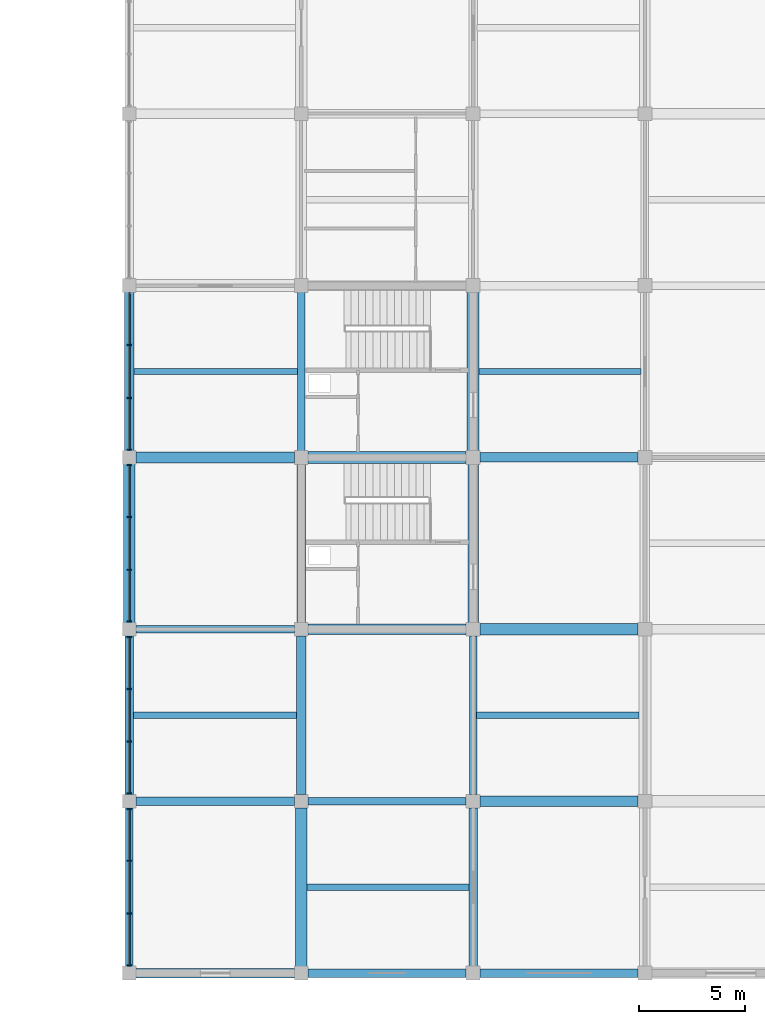
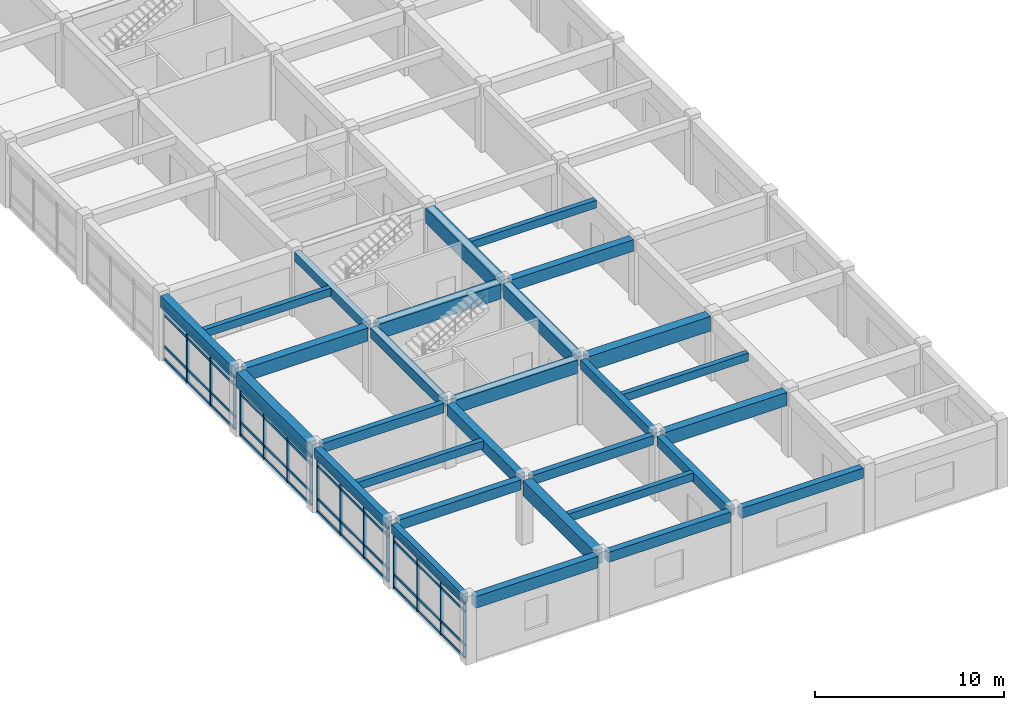
# One storey, part 13 of 40: 31 members, 29 beams, 4 elements without a shape of their own.
"""IFC4 building model written with IfcOpenShell, lengths in metres."""

import ifcopenshell
import ifcopenshell.guid

model = None  # the IFC model being written
_history = None  # IfcOwnerHistory: only IFC2X3 demands one
_inside = {}  # id of a spatial element -> (the spatial element, [elements in it])
_under = {}  # id of a project, library or spatial element -> (it, [spatial elements below it])
_declared = {}  # id of a project -> (the project, [libraries it declares])
_typed = {}  # id of a type object -> (the type object, [elements of that type])
_made_of = {}  # id of a material, layer set ... -> (it, [elements and type objects made of it])


def new_model(schema):
    """Start an empty IFC model of exactly this schema.

    Asked for "IFC4X3", IfcOpenShell would pick the latest addendum, in which some entities
    have other attributes; the version numbers below select the first issue.
    IFC2X3 requires an IfcOwnerHistory on every rooted entity: one is made here for all.
    """
    global model, _history
    if schema == "IFC4X3":
        model = ifcopenshell.file(schema_version=(4, 3, 0, 0))
    else:
        model = ifcopenshell.file(schema=schema)
    _inside.clear()
    _under.clear()
    _declared.clear()
    _typed.clear()
    _made_of.clear()
    _history = None
    if model.schema == "IFC2X3":
        org = make("IfcOrganization", Name="unknown")
        user = make(
            "IfcPersonAndOrganization",
            ThePerson=make("IfcPerson", FamilyName="unknown"),
            TheOrganization=org,
        )
        app = make(
            "IfcApplication",
            ApplicationDeveloper=org,
            Version="unknown",
            ApplicationFullName="unknown",
            ApplicationIdentifier="unknown",
        )
        _history = make(
            "IfcOwnerHistory",
            OwningUser=user,
            OwningApplication=app,
            ChangeAction="ADDED",
            CreationDate=0,
        )
    return model


def make(cls, **values):
    """One entity of the class cls with the attributes given. An attribute that is None is left unset."""
    return model.create_entity(
        cls, **{name: value for name, value in values.items() if value is not None}
    )


def rooted(cls, **values):
    """An entity with a GlobalId (a new one), such as an element, a storey or a relation."""
    return make(cls, GlobalId=ifcopenshell.guid.new(), OwnerHistory=_history, **values)


def si_unit(unit_type, name, prefix=None):
    """IfcSIUnit, for example si_unit("LENGTHUNIT", "METRE", prefix="MILLI")."""
    return make("IfcSIUnit", UnitType=unit_type, Prefix=prefix, Name=name)


def assignment(units):
    """IfcUnitAssignment: the units of a project."""
    return None if units is None else make("IfcUnitAssignment", Units=units)


def point(xyz):
    """IfcCartesianPoint."""
    return None if xyz is None else make("IfcCartesianPoint", Coordinates=xyz)


def direction(xyz):
    """IfcDirection."""
    return None if xyz is None else make("IfcDirection", DirectionRatios=xyz)


def frame(location, z_axis=None, x_axis=None):
    """IfcAxis2Placement3D, a coordinate frame: its origin and axes. An axis left out is left unset."""
    return make(
        "IfcAxis2Placement3D",
        Location=point(location),
        Axis=direction(z_axis),
        RefDirection=direction(x_axis),
    )


def frame_2d(location, x_axis=None):
    """IfcAxis2Placement2D, a coordinate frame in the plane: its origin and x axis."""
    return make(
        "IfcAxis2Placement2D", Location=point(location), RefDirection=direction(x_axis)
    )


def origin():
    """The frame at (0, 0, 0) with its axes left unset."""
    return frame((0.0, 0.0, 0.0))


def origin_2d():
    """The frame at (0, 0) in the plane with its x axis left unset."""
    return frame_2d((0.0, 0.0))


def place(relative_to, where):
    """IfcLocalPlacement: puts the frame where relative to a parent placement (None: the world)."""
    return make(
        "IfcLocalPlacement", PlacementRelTo=relative_to, RelativePlacement=where
    )


def context(
    kind, dimensions, precision=None, world=None, true_north=None, identifier=None
):
    """IfcGeometricRepresentationContext, for example the 3D "Model" context."""
    return make(
        "IfcGeometricRepresentationContext",
        ContextIdentifier=identifier,
        ContextType=kind,
        CoordinateSpaceDimension=dimensions,
        Precision=precision,
        WorldCoordinateSystem=world,
        TrueNorth=true_north,
    )


def subcontext(parent, identifier, kind, view, scale=None):
    """IfcGeometricRepresentationSubContext, for example "Body" below "Model"."""
    return make(
        "IfcGeometricRepresentationSubContext",
        ContextIdentifier=identifier,
        ContextType=kind,
        ParentContext=parent,
        TargetScale=scale,
        TargetView=view,
    )


def project(units=None, contexts=None):
    """IfcProject with its units and contexts."""
    return rooted(
        "IfcProject",
        Name="project",
        RepresentationContexts=contexts,
        UnitsInContext=assignment(units),
    )


def spatial(cls, under=None, at=None, **own):
    """A site, building, storey or space (cls), placed at a placement, below another one or the project."""
    s = rooted(cls, ObjectPlacement=at, **own)
    if under is not None:
        _under.setdefault(under.id(), (under, []))[1].append(s)
    return s


def profile(cls, at=None, kind="AREA", **sizes):
    """A parametric profile (cls). Its sizes go by their IFC names, for example OverallWidth=200.0."""
    return make(cls, ProfileType=kind, Position=at, **sizes)


def rectangle(**sizes):
    """IfcRectangleProfileDef."""
    return profile("IfcRectangleProfileDef", **sizes)


def extrude(swept, where, along, depth):
    """IfcExtrudedAreaSolid: the profile swept, set in the frame where, extruded along a direction by depth."""
    return make(
        "IfcExtrudedAreaSolid",
        SweptArea=swept,
        Position=where,
        ExtrudedDirection=direction(along),
        Depth=depth,
    )


def shape(context_of_items, identifier, shape_type, items):
    """IfcShapeRepresentation: the items that make up one representation, for example the "Body"."""
    return make(
        "IfcShapeRepresentation",
        ContextOfItems=context_of_items,
        RepresentationIdentifier=identifier,
        RepresentationType=shape_type,
        Items=items,
    )


def material(Name=None, Category=None):
    """IfcMaterial."""
    return make("IfcMaterial", Name=Name, Category=Category)


def layer(
    of_material, thickness, ventilated=None, Name=None, Category=None, Priority=None
):
    """IfcMaterialLayer: one layer of a wall or slab, of a material (None: an air gap)."""
    return make(
        "IfcMaterialLayer",
        Material=of_material,
        LayerThickness=thickness,
        IsVentilated=ventilated,
        Name=Name,
        Category=Category,
        Priority=Priority,
    )


def layer_set(layers, Name=None):
    """IfcMaterialLayerSet."""
    return make("IfcMaterialLayerSet", MaterialLayers=layers, LayerSetName=Name)


def material_profile(
    of_material, cross_section, Name=None, Category=None, Priority=None
):
    """IfcMaterialProfile: a cross section and its material."""
    return make(
        "IfcMaterialProfile",
        Name=Name,
        Material=of_material,
        Profile=cross_section,
        Priority=Priority,
        Category=Category,
    )


def profile_set(profiles, Name=None, composite=None):
    """IfcMaterialProfileSet."""
    return make(
        "IfcMaterialProfileSet",
        Name=Name,
        MaterialProfiles=profiles,
        CompositeProfile=composite,
    )


def made_of(thing, what):
    """Note that an element or type object is made of a material, layer set ...; save() writes the relation."""
    if what is not None:
        _made_of.setdefault(what.id(), (what, []))[1].append(thing)
    return thing


def type_object(cls, material=None, **own):
    """A type object (cls), such as IfcWallType, which elements share."""
    return made_of(rooted(cls, **own), material)


def element(
    cls,
    number,
    at=None,
    inside=None,
    cuts=None,
    type_object=None,
    material=None,
    context=None,
    identifier="Body",
    shape_type=None,
    held_by="IfcProductDefinitionShape",
    body=None,
    shapes=None,
    **own,
):
    """One element of the class cls, such as IfcWall. Its Tag is "e" and its number.

    at: its placement. inside: the storey or other place that contains it. cuts: it is an
    opening in that element (IfcRelVoidsElement). A single representation is given by context,
    identifier, shape_type and body (its items); several are given by shapes. held_by: the class
    of the entity that holds the representations. save() writes the other relations.
    """
    e = rooted(cls, Tag="e%d" % number, ObjectPlacement=at, **own)
    if body is not None:
        shapes = [shape(context, identifier, shape_type, body)]
    if shapes is not None:
        e.Representation = make(held_by, Representations=shapes)
    if inside is not None:
        _inside.setdefault(inside.id(), (inside, []))[1].append(e)
    if cuts is not None:
        rooted(
            "IfcRelVoidsElement", RelatingBuildingElement=cuts, RelatedOpeningElement=e
        )
    if type_object is not None:
        _typed.setdefault(type_object.id(), (type_object, []))[1].append(e)
    return made_of(e, material)


def aggregate(whole, parts):
    """IfcRelAggregates: a whole, such as a stair, and the parts it consists of."""
    return rooted("IfcRelAggregates", RelatingObject=whole, RelatedObjects=parts)


def save(model, path):
    """Write the relations noted so far, then the file.

    IfcRelAggregates (storeys below a building ...), IfcRelContainedInSpatialStructure (elements
    in a storey), IfcRelDefinesByType, IfcRelAssociatesMaterial and IfcRelDeclares: one each for
    every whole, place, type object, material and project.
    """
    for whole, parts in _under.values():
        aggregate(whole, parts)
    for where, things in _inside.values():
        rooted(
            "IfcRelContainedInSpatialStructure",
            RelatedElements=things,
            RelatingStructure=where,
        )
    for kind, things in _typed.values():
        rooted("IfcRelDefinesByType", RelatedObjects=things, RelatingType=kind)
    for what, things in _made_of.values():
        rooted("IfcRelAssociatesMaterial", RelatedObjects=things, RelatingMaterial=what)
    for by, libraries in _declared.values():
        rooted("IfcRelDeclares", RelatingContext=by, RelatedDefinitions=libraries)
    model.write(path)


model = new_model("IFC4")

# Units and contexts
model_context = context("Model", 3, precision=1e-05, world=origin(), true_north=direction((0.0, 1.0)))
body_context = subcontext(model_context, "Body", "Model", "MODEL_VIEW")
ifc_project = project(units=[si_unit("LENGTHUNIT", "METRE"), si_unit("AREAUNIT", "SQUARE_METRE"), si_unit("VOLUMEUNIT", "CUBIC_METRE"), si_unit("PLANEANGLEUNIT", "RADIAN"), si_unit("MASSUNIT", "GRAM", prefix="KILO")], contexts=[model_context])

# Site, building, storey
site_placement = place(None, origin())
site = spatial("IfcSite", under=ifc_project, at=site_placement, CompositionType="ELEMENT")
building_placement = place(site_placement, origin())
building = spatial("IfcBuilding", under=site, at=building_placement, Name="Vaudrelin Polytechnic", CompositionType="ELEMENT")
storey_placement = place(building_placement, frame((0.0, 0.0, 22.949951171875)))
storey = spatial("IfcBuildingStorey", under=building, at=storey_placement, Name="L05", CompositionType="ELEMENT", Elevation=22.949951171875)

# Beams
ifc_material_1 = material(Name="Concrete 40 MPa", Category="concrete")
ifc_material_profile_1 = material_profile(ifc_material_1, rectangle(XDim=0.35009765625, YDim=0.60009765625, at=origin_2d()), Name="RC350x600")
ifc_profile_set_1 = profile_set([ifc_material_profile_1], Name="Concrete 40 MPa")
beam_type_1 = type_object("IfcBeamType", Name="BM-BM-RC3560", PredefinedType="BEAM", material=ifc_profile_set_1)
for number, where, z_axis, x_axis, name in (
    (1, (137.699951171875, 16.510009765625, 3.860107421875), (0.0, 1.0, 0.0), (-1.0, 0.0, 0.0), "L05 Y-beam 18-3"),
    (2, (145.800048828125, 40.81005859375, 3.860107421875), (0.0, 1.0, 0.0), (-1.0, 0.0, 0.0), "L05 Y-beam 19-6"),
    (3, (153.89990234375, 24.610107421875, 3.860107421875), (0.0, 1.0, 0.0), (-1.0, 0.0, 0.0), "L05 Y-beam 20-4"),
):
    element("IfcBeam", number, at=place(storey_placement, frame(where, z_axis=z_axis, x_axis=x_axis)), inside=storey, type_object=beam_type_1, Name=name, PredefinedType="BEAM", context=body_context, shape_type="SweptSolid", body=[
        extrude(rectangle(XDim=0.35009765625, YDim=0.60009765625, at=origin_2d()), origin(), (0.0, 0.0, 1.0), 7.47998046875),
    ])
for number, where, z_axis, x_axis, name in (
    (4, (138.02099609375, 32.39990234375, 3.860107421875), (1.0, 0.0, 0.0), (0.0, 1.0, 0.0), "L05 X-beam 18-5"),
    (5, (146.12109375, 24.300048828125, 3.860107421875), (1.0, 0.0, 0.0), (0.0, 1.0, 0.0), "L05 X-beam 19-4"),
):
    element("IfcBeam", number, at=place(storey_placement, frame(where, z_axis=z_axis, x_axis=x_axis)), inside=storey, type_object=beam_type_1, Name=name, PredefinedType="BEAM", context=body_context, shape_type="SweptSolid", body=[
        extrude(rectangle(XDim=0.35009765625, YDim=0.60009765625, at=origin_2d()), origin(), (0.0, 0.0, 1.0), 7.4580078125),
    ])
ifc_material_profile_2 = material_profile(ifc_material_1, rectangle(XDim=0.39990234375, YDim=0.64990234375, at=origin_2d()), Name="RC400x650")
ifc_profile_set_2 = profile_set([ifc_material_profile_2], Name="Concrete 40 MPa")
beam_type_2 = type_object("IfcBeamType", Name="BM-BM-RC4065", PredefinedType="BEAM", material=ifc_profile_set_2)
for number, where, z_axis, x_axis, name in (
    (6, (145.800048828125, 32.7099609375, 3.8349609375), (0.0, 1.0, 0.0), (-1.0, 0.0, 0.0), "L05 Y-beam 19-5"),
    (7, (153.89990234375, 16.510009765625, 3.8349609375), (0.0, 1.0, 0.0), (-1.0, 0.0, 0.0), "L05 Y-beam 20-3"),
):
    element("IfcBeam", number, at=place(storey_placement, frame(where, z_axis=z_axis, x_axis=x_axis)), inside=storey, type_object=beam_type_2, Name=name, PredefinedType="BEAM", context=body_context, shape_type="SweptSolid", body=[
        extrude(rectangle(XDim=0.39990234375, YDim=0.64990234375, at=origin_2d()), origin(), (0.0, 0.0, 1.0), 7.47998046875),
    ])
for number, where, z_axis, x_axis, name in (
    (8, (138.02099609375, 24.300048828125, 3.8349609375), (1.0, 0.0, 0.0), (0.0, 1.0, 0.0), "L05 X-beam 18-4"),
    (9, (146.12109375, 16.199951171875, 3.8349609375), (1.0, 0.0, 0.0), (0.0, 1.0, 0.0), "L05 X-beam 19-3"),
):
    element("IfcBeam", number, at=place(storey_placement, frame(where, z_axis=z_axis, x_axis=x_axis)), inside=storey, type_object=beam_type_2, Name=name, PredefinedType="BEAM", context=body_context, shape_type="SweptSolid", body=[
        extrude(rectangle(XDim=0.39990234375, YDim=0.64990234375, at=origin_2d()), origin(), (0.0, 0.0, 1.0), 7.4580078125),
    ])
ifc_material_profile_3 = material_profile(ifc_material_1, rectangle(XDim=0.449951171875, YDim=0.75, at=origin_2d()), Name="RC450x750")
ifc_profile_set_3 = profile_set([ifc_material_profile_3], Name="Concrete 40 MPa")
beam_type_3 = type_object("IfcBeamType", Name="BM-BM-RC4575", PredefinedType="BEAM", material=ifc_profile_set_3)
for number, where, z_axis, x_axis, name in (
    (10, (137.699951171875, 40.81005859375, 3.78515625), (0.0, 1.0, 0.0), (-1.0, 0.0, 0.0), "L05 Y-beam 18-6"),
    (11, (145.800048828125, 24.610107421875, 3.78515625), (0.0, 1.0, 0.0), (-1.0, 0.0, 0.0), "L05 Y-beam 19-4"),
):
    element("IfcBeam", number, at=place(storey_placement, frame(where, z_axis=z_axis, x_axis=x_axis)), inside=storey, type_object=beam_type_3, Name=name, PredefinedType="BEAM", context=body_context, shape_type="SweptSolid", body=[
        extrude(rectangle(XDim=0.449951171875, YDim=0.75, at=origin_2d()), origin(), (0.0, 0.0, 1.0), 7.47998046875),
    ])
for number, where, z_axis, x_axis, name in (
    (12, (138.02099609375, 16.199951171875, 3.78515625), (1.0, 0.0, 0.0), (0.0, 1.0, 0.0), "L05 X-beam 18-3"),
    (13, (154.220947265625, 40.5, 3.78515625), (1.0, 0.0, 0.0), (0.0, 1.0, 0.0), "L05 X-beam 20-6"),
):
    element("IfcBeam", number, at=place(storey_placement, frame(where, z_axis=z_axis, x_axis=x_axis)), inside=storey, type_object=beam_type_3, Name=name, PredefinedType="BEAM", context=body_context, shape_type="SweptSolid", body=[
        extrude(rectangle(XDim=0.449951171875, YDim=0.75, at=origin_2d()), origin(), (0.0, 0.0, 1.0), 7.4580078125),
    ])
ifc_material_profile_4 = material_profile(ifc_material_1, rectangle(XDim=0.5, YDim=0.85009765625, at=origin_2d()), Name="RC500x850")
ifc_profile_set_4 = profile_set([ifc_material_profile_4], Name="Concrete 40 MPa")
beam_type_4 = type_object("IfcBeamType", Name="BM-BM-RC5085", PredefinedType="BEAM", material=ifc_profile_set_4)
beam_1_placement = place(storey_placement, frame((153.89990234375, 32.7099609375, 3.735107421875), z_axis=(0.0, 1.0, 0.0), x_axis=(-1.0, 0.0, 0.0)))
element("IfcBeam", 14, at=beam_1_placement, inside=storey, type_object=beam_type_4, Name="L05 Y-beam 20-5", PredefinedType="BEAM", context=body_context, shape_type="SweptSolid", body=[
    extrude(rectangle(XDim=0.5, YDim=0.85009765625, at=origin_2d()), origin(), (0.0, 0.0, 1.0), 7.47998046875),
])
for number, where, z_axis, x_axis, name in (
    (15, (138.02099609375, 40.5, 3.735107421875), (1.0, 0.0, 0.0), (0.0, 1.0, 0.0), "L05 X-beam 18-6"),
    (16, (146.12109375, 32.39990234375, 3.735107421875), (1.0, 0.0, 0.0), (0.0, 1.0, 0.0), "L05 X-beam 19-5"),
    (17, (154.220947265625, 24.300048828125, 3.735107421875), (1.0, 0.0, 0.0), (0.0, 1.0, 0.0), "L05 X-beam 20-4"),
):
    element("IfcBeam", number, at=place(storey_placement, frame(where, z_axis=z_axis, x_axis=x_axis)), inside=storey, type_object=beam_type_4, Name=name, PredefinedType="BEAM", context=body_context, shape_type="SweptSolid", body=[
        extrude(rectangle(XDim=0.5, YDim=0.85009765625, at=origin_2d()), origin(), (0.0, 0.0, 1.0), 7.4580078125),
    ])
ifc_material_2 = material(Name="Concrete 50 MPa", Category="concrete")
ifc_material_profile_5 = material_profile(ifc_material_2, rectangle(XDim=0.550048828125, YDim=0.949951171875, at=origin_2d()), Name="RC550x950")
ifc_profile_set_5 = profile_set([ifc_material_profile_5], Name="Concrete 50 MPa")
beam_type_5 = type_object("IfcBeamType", Name="BM-BM-RC5595", PredefinedType="BEAM", material=ifc_profile_set_5)
for number, where, z_axis, x_axis, name in (
    (18, (137.699951171875, 32.7099609375, 3.68505859375), (0.0, 1.0, 0.0), (-1.0, 0.0, 0.0), "L05 Y-beam 18-5"),
    (19, (145.800048828125, 16.510009765625, 3.68505859375), (0.0, 1.0, 0.0), (-1.0, 0.0, 0.0), "L05 Y-beam 19-3"),
    (20, (153.89990234375, 40.81005859375, 3.68505859375), (0.0, 1.0, 0.0), (-1.0, 0.0, 0.0), "L05 Y-beam 20-6"),
):
    element("IfcBeam", number, at=place(storey_placement, frame(where, z_axis=z_axis, x_axis=x_axis)), inside=storey, type_object=beam_type_5, Name=name, PredefinedType="BEAM", context=body_context, shape_type="SweptSolid", body=[
        extrude(rectangle(XDim=0.550048828125, YDim=0.949951171875, at=origin_2d()), origin(), (0.0, 0.0, 1.0), 7.47998046875),
    ])
for number, where, z_axis, x_axis, name in (
    (21, (146.12109375, 40.5, 3.68505859375), (1.0, 0.0, 0.0), (0.0, 1.0, 0.0), "L05 X-beam 19-6"),
    (22, (154.220947265625, 32.39990234375, 3.68505859375), (1.0, 0.0, 0.0), (0.0, 1.0, 0.0), "L05 X-beam 20-5"),
):
    element("IfcBeam", number, at=place(storey_placement, frame(where, z_axis=z_axis, x_axis=x_axis)), inside=storey, type_object=beam_type_5, Name=name, PredefinedType="BEAM", context=body_context, shape_type="SweptSolid", body=[
        extrude(rectangle(XDim=0.550048828125, YDim=0.949951171875, at=origin_2d()), origin(), (0.0, 0.0, 1.0), 7.4580078125),
    ])
ifc_material_profile_6 = material_profile(ifc_material_1, rectangle(XDim=0.300048828125, YDim=0.5, at=origin_2d()), Name="RC300x500")
ifc_profile_set_6 = profile_set([ifc_material_profile_6], Name="Concrete 40 MPa")
beam_type_6 = type_object("IfcBeamType", Name="BM-JS-RC3050", PredefinedType="JOIST", material=ifc_profile_set_6)
beam_2_placement = place(storey_placement, frame((137.89599609375, 28.35009765625, 3.91015625), z_axis=(1.0, 0.0, 0.0), x_axis=(0.0, 1.0, 0.0)))
element("IfcBeam", 23, at=beam_2_placement, inside=storey, type_object=beam_type_6, Name="L05 floor joist 18-4", PredefinedType="JOIST", context=body_context, shape_type="SweptSolid", body=[
    extrude(rectangle(XDim=0.300048828125, YDim=0.5, at=origin_2d()), origin(), (0.0, 0.0, 1.0), 7.68310546875),
])
beam_3_placement = place(storey_placement, frame((137.9208984375, 44.550048828125, 3.91015625), z_axis=(1.0, 0.0, 0.0), x_axis=(0.0, 1.0, 0.0)))
element("IfcBeam", 24, at=beam_3_placement, inside=storey, type_object=beam_type_6, Name="L05 floor joist 18-6", PredefinedType="JOIST", context=body_context, shape_type="SweptSolid", body=[
    extrude(rectangle(XDim=0.300048828125, YDim=0.5, at=origin_2d()), origin(), (0.0, 0.0, 1.0), 7.7080078125),
])
beam_4_placement = place(storey_placement, frame((146.071044921875, 20.25, 3.91015625), z_axis=(1.0, 0.0, 0.0), x_axis=(0.0, 1.0, 0.0)))
element("IfcBeam", 25, at=beam_4_placement, inside=storey, type_object=beam_type_6, Name="L05 floor joist 19-3", PredefinedType="JOIST", context=body_context, shape_type="SweptSolid", body=[
    extrude(rectangle(XDim=0.300048828125, YDim=0.5, at=origin_2d()), origin(), (0.0, 0.0, 1.0), 7.633056640625),
])
beam_5_placement = place(storey_placement, frame((154.071044921875, 28.35009765625, 3.91015625), z_axis=(1.0, 0.0, 0.0), x_axis=(0.0, 1.0, 0.0)))
element("IfcBeam", 26, at=beam_5_placement, inside=storey, type_object=beam_type_6, Name="L05 floor joist 20-4", PredefinedType="JOIST", context=body_context, shape_type="SweptSolid", body=[
    extrude(rectangle(XDim=0.300048828125, YDim=0.5, at=origin_2d()), origin(), (0.0, 0.0, 1.0), 7.657958984375),
])
beam_6_placement = place(storey_placement, frame((154.1708984375, 44.550048828125, 3.91015625), z_axis=(1.0, 0.0, 0.0), x_axis=(0.0, 1.0, 0.0)))
element("IfcBeam", 27, at=beam_6_placement, inside=storey, type_object=beam_type_6, Name="L05 floor joist 20-6", PredefinedType="JOIST", context=body_context, shape_type="SweptSolid", body=[
    extrude(rectangle(XDim=0.300048828125, YDim=0.5, at=origin_2d()), origin(), (0.0, 0.0, 1.0), 7.633056640625),
])
ifc_material_profile_7 = material_profile(ifc_material_1, rectangle(XDim=0.39990234375, YDim=0.64990234375, at=origin_2d()), Name="RC400x650")
ifc_profile_set_7 = profile_set([ifc_material_profile_7], Name="Concrete 40 MPa")
beam_type_7 = type_object("IfcBeamType", Name="BM-SP-RC4065", PredefinedType="SPANDREL", material=ifc_profile_set_7)
beam_7_placement = place(storey_placement, frame((137.699951171875, 24.610107421875, 3.8349609375), z_axis=(0.0, 1.0, 0.0), x_axis=(-1.0, 0.0, 0.0)))
element("IfcBeam", 28, at=beam_7_placement, inside=storey, type_object=beam_type_7, Name="L05 Y-beam 18-4", PredefinedType="SPANDREL", context=body_context, shape_type="SweptSolid", body=[
    extrude(rectangle(XDim=0.39990234375, YDim=0.64990234375, at=origin_2d()), origin(), (0.0, 0.0, 1.0), 7.47998046875),
])
beam_8_placement = place(storey_placement, frame((154.220947265625, 16.199951171875, 3.8349609375), z_axis=(1.0, 0.0, 0.0), x_axis=(0.0, 1.0, 0.0)))
element("IfcBeam", 29, at=beam_8_placement, inside=storey, type_object=beam_type_7, Name="L05 X-beam 20-3", PredefinedType="SPANDREL", context=body_context, shape_type="SweptSolid", body=[
    extrude(rectangle(XDim=0.39990234375, YDim=0.64990234375, at=origin_2d()), origin(), (0.0, 0.0, 1.0), 7.4580078125),
])

# Curtain wall, members
ifc_material_3 = material(Name="Thermally broken anodised aluminium AA 6063-T6 and low-e triple glazing", Category="aluminium")
ifc_layer = layer(ifc_material_3, 0.199951171875)
ifc_layer_set = layer_set([ifc_layer], Name="Thermally broken anodised aluminium AA 6063-T6 and low-e triple glazing")
curtain_wall_type = type_object("IfcCurtainWallType", Name="CW-CW-LAB", PredefinedType="USERDEFINED", material=ifc_layer_set)
curtain_wall_1_placement = place(storey_placement, origin())
curtain_wall_1 = element("IfcCurtainWall", 30, at=curtain_wall_1_placement, inside=storey, type_object=curtain_wall_type, Name="Curtain wall L05 W_V4_00", ObjectType="CURTAIN WALL", PredefinedType="USERDEFINED")
ifc_material_4 = material(Name="Anodised aluminium AA 6063-T6", Category="aluminium")
ifc_material_profile_8 = material_profile(ifc_material_4, rectangle(XDim=0.06494140625, YDim=0.179931640625, at=origin_2d()), Name="CWM-65x180")
ifc_profile_set_8 = profile_set([ifc_material_profile_8], Name="Anodised aluminium AA 6063-T6")
member_type_1 = type_object("IfcMemberType", Name="MEM-CWM-180", PredefinedType="MULLION", material=ifc_profile_set_8)
member_1_placement = place(storey_placement, frame((137.699951171875, 16.56298828125, 0.0), z_axis=(0.0, 0.0, 1.0), x_axis=(0.0, 1.0, 0.0)))
member_1 = element("IfcMember", 31, at=member_1_placement, type_object=member_type_1, Name="W_V4_00 mullion 1", PredefinedType="MULLION", context=body_context, shape_type="SweptSolid", body=[
    extrude(rectangle(XDim=0.06494140625, YDim=0.179931640625, at=origin_2d()), origin(), (0.0, 0.0, 1.0), 3.56201171875),
])
member_2_placement = place(storey_placement, frame((137.699951171875, 19.0078125, 0.0), z_axis=(0.0, 0.0, 1.0), x_axis=(0.0, 1.0, 0.0)))
member_2 = element("IfcMember", 32, at=member_2_placement, type_object=member_type_1, Name="W_V4_00 mullion 2", PredefinedType="MULLION", context=body_context, shape_type="SweptSolid", body=[
    extrude(rectangle(XDim=0.06494140625, YDim=0.179931640625, at=origin_2d()), origin(), (0.0, 0.0, 1.0), 3.56201171875),
])
member_3_placement = place(storey_placement, frame((137.699951171875, 21.4921875, 0.0), z_axis=(0.0, 0.0, 1.0), x_axis=(0.0, 1.0, 0.0)))
member_3 = element("IfcMember", 33, at=member_3_placement, type_object=member_type_1, Name="W_V4_00 mullion 3", PredefinedType="MULLION", context=body_context, shape_type="SweptSolid", body=[
    extrude(rectangle(XDim=0.06494140625, YDim=0.179931640625, at=origin_2d()), origin(), (0.0, 0.0, 1.0), 3.56201171875),
])
member_4_placement = place(storey_placement, frame((137.699951171875, 23.93701171875, 0.0), z_axis=(0.0, 0.0, 1.0), x_axis=(0.0, 1.0, 0.0)))
member_4 = element("IfcMember", 34, at=member_4_placement, type_object=member_type_1, Name="W_V4_00 mullion 4", PredefinedType="MULLION", context=body_context, shape_type="SweptSolid", body=[
    extrude(rectangle(XDim=0.06494140625, YDim=0.179931640625, at=origin_2d()), origin(), (0.0, 0.0, 1.0), 3.56201171875),
])

curtain_wall_2_placement = place(storey_placement, origin())
curtain_wall_2 = element("IfcCurtainWall", 35, at=curtain_wall_2_placement, inside=storey, type_object=curtain_wall_type, Name="Curtain wall L05 W_V4_01", ObjectType="CURTAIN WALL", PredefinedType="USERDEFINED")
member_5_placement = place(storey_placement, frame((137.699951171875, 24.6630859375, 0.0), z_axis=(0.0, 0.0, 1.0), x_axis=(0.0, 1.0, 0.0)))
member_5 = element("IfcMember", 36, at=member_5_placement, type_object=member_type_1, Name="W_V4_01 mullion 1", PredefinedType="MULLION", context=body_context, shape_type="SweptSolid", body=[
    extrude(rectangle(XDim=0.06494140625, YDim=0.179931640625, at=origin_2d()), origin(), (0.0, 0.0, 1.0), 3.511962890625),
])
member_6_placement = place(storey_placement, frame((137.699951171875, 27.107666015625, 0.0), z_axis=(0.0, 0.0, 1.0), x_axis=(0.0, 1.0, 0.0)))
member_6 = element("IfcMember", 37, at=member_6_placement, type_object=member_type_1, Name="W_V4_01 mullion 2", PredefinedType="MULLION", context=body_context, shape_type="SweptSolid", body=[
    extrude(rectangle(XDim=0.06494140625, YDim=0.179931640625, at=origin_2d()), origin(), (0.0, 0.0, 1.0), 3.511962890625),
])
member_7_placement = place(storey_placement, frame((137.699951171875, 29.59228515625, 0.0), z_axis=(0.0, 0.0, 1.0), x_axis=(0.0, 1.0, 0.0)))
member_7 = element("IfcMember", 38, at=member_7_placement, type_object=member_type_1, Name="W_V4_01 mullion 3", PredefinedType="MULLION", context=body_context, shape_type="SweptSolid", body=[
    extrude(rectangle(XDim=0.06494140625, YDim=0.179931640625, at=origin_2d()), origin(), (0.0, 0.0, 1.0), 3.511962890625),
])
member_8_placement = place(storey_placement, frame((137.699951171875, 32.037109375, 0.0), z_axis=(0.0, 0.0, 1.0), x_axis=(0.0, 1.0, 0.0)))
member_8 = element("IfcMember", 39, at=member_8_placement, type_object=member_type_1, Name="W_V4_01 mullion 4", PredefinedType="MULLION", context=body_context, shape_type="SweptSolid", body=[
    extrude(rectangle(XDim=0.06494140625, YDim=0.179931640625, at=origin_2d()), origin(), (0.0, 0.0, 1.0), 3.511962890625),
])

curtain_wall_3_placement = place(storey_placement, origin())
curtain_wall_3 = element("IfcCurtainWall", 40, at=curtain_wall_3_placement, inside=storey, type_object=curtain_wall_type, Name="Curtain wall L05 W_V4_02", ObjectType="CURTAIN WALL", PredefinedType="USERDEFINED")
member_9_placement = place(storey_placement, frame((137.699951171875, 32.762939453125, 0.0), z_axis=(0.0, 0.0, 1.0), x_axis=(0.0, 1.0, 0.0)))
member_9 = element("IfcMember", 41, at=member_9_placement, type_object=member_type_1, Name="W_V4_02 mullion 1", PredefinedType="MULLION", context=body_context, shape_type="SweptSolid", body=[
    extrude(rectangle(XDim=0.06494140625, YDim=0.179931640625, at=origin_2d()), origin(), (0.0, 0.0, 1.0), 3.212158203125),
])
member_10_placement = place(storey_placement, frame((137.699951171875, 35.207763671875, 0.0), z_axis=(0.0, 0.0, 1.0), x_axis=(0.0, 1.0, 0.0)))
member_10 = element("IfcMember", 42, at=member_10_placement, type_object=member_type_1, Name="W_V4_02 mullion 2", PredefinedType="MULLION", context=body_context, shape_type="SweptSolid", body=[
    extrude(rectangle(XDim=0.06494140625, YDim=0.179931640625, at=origin_2d()), origin(), (0.0, 0.0, 1.0), 3.212158203125),
])
member_11_placement = place(storey_placement, frame((137.699951171875, 37.6923828125, 0.0), z_axis=(0.0, 0.0, 1.0), x_axis=(0.0, 1.0, 0.0)))
member_11 = element("IfcMember", 43, at=member_11_placement, type_object=member_type_1, Name="W_V4_02 mullion 3", PredefinedType="MULLION", context=body_context, shape_type="SweptSolid", body=[
    extrude(rectangle(XDim=0.06494140625, YDim=0.179931640625, at=origin_2d()), origin(), (0.0, 0.0, 1.0), 3.212158203125),
])
member_12_placement = place(storey_placement, frame((137.699951171875, 40.136962890625, 0.0), z_axis=(0.0, 0.0, 1.0), x_axis=(0.0, 1.0, 0.0)))
member_12 = element("IfcMember", 44, at=member_12_placement, type_object=member_type_1, Name="W_V4_02 mullion 4", PredefinedType="MULLION", context=body_context, shape_type="SweptSolid", body=[
    extrude(rectangle(XDim=0.06494140625, YDim=0.179931640625, at=origin_2d()), origin(), (0.0, 0.0, 1.0), 3.212158203125),
])

curtain_wall_4_placement = place(storey_placement, origin())
curtain_wall_4 = element("IfcCurtainWall", 45, at=curtain_wall_4_placement, inside=storey, type_object=curtain_wall_type, Name="Curtain wall L05 W_V4_03", ObjectType="CURTAIN WALL", PredefinedType="USERDEFINED")
member_13_placement = place(storey_placement, frame((137.699951171875, 40.863037109375, 0.0), z_axis=(0.0, 0.0, 1.0), x_axis=(0.0, 1.0, 0.0)))
member_13 = element("IfcMember", 46, at=member_13_placement, type_object=member_type_1, Name="W_V4_03 mullion 1", PredefinedType="MULLION", context=body_context, shape_type="SweptSolid", body=[
    extrude(rectangle(XDim=0.06494140625, YDim=0.179931640625, at=origin_2d()), origin(), (0.0, 0.0, 1.0), 3.412109375),
])
member_14_placement = place(storey_placement, frame((137.699951171875, 43.3076171875, 0.0), z_axis=(0.0, 0.0, 1.0), x_axis=(0.0, 1.0, 0.0)))
member_14 = element("IfcMember", 47, at=member_14_placement, type_object=member_type_1, Name="W_V4_03 mullion 2", PredefinedType="MULLION", context=body_context, shape_type="SweptSolid", body=[
    extrude(rectangle(XDim=0.06494140625, YDim=0.179931640625, at=origin_2d()), origin(), (0.0, 0.0, 1.0), 3.412109375),
])
member_15_placement = place(storey_placement, frame((137.699951171875, 45.792236328125, 0.0), z_axis=(0.0, 0.0, 1.0), x_axis=(0.0, 1.0, 0.0)))
member_15 = element("IfcMember", 48, at=member_15_placement, type_object=member_type_1, Name="W_V4_03 mullion 3", PredefinedType="MULLION", context=body_context, shape_type="SweptSolid", body=[
    extrude(rectangle(XDim=0.06494140625, YDim=0.179931640625, at=origin_2d()), origin(), (0.0, 0.0, 1.0), 3.412109375),
])

# Member
ifc_material_profile_9 = material_profile(ifc_material_4, rectangle(XDim=0.074951171875, YDim=0.1650390625, at=origin_2d()), Name="CWT-75x165")
ifc_profile_set_9 = profile_set([ifc_material_profile_9], Name="Anodised aluminium AA 6063-T6")
member_type_2 = type_object("IfcMemberType", Name="MEM-CWT-165", PredefinedType="USERDEFINED", material=ifc_profile_set_9)
member_16_placement = place(storey_placement, frame((137.699951171875, 16.52294921875, 0.050048828125), z_axis=(0.0, 1.0, 0.0), x_axis=(-1.0, 0.0, 0.0)))
member_16 = element("IfcMember", 49, at=member_16_placement, type_object=member_type_2, Name="W_V4_00 transom 1", ObjectType="TRANSOM", PredefinedType="USERDEFINED", context=body_context, shape_type="SweptSolid", body=[
    extrude(rectangle(XDim=0.074951171875, YDim=0.1650390625, at=origin_2d()), origin(), (0.0, 0.0, 1.0), 7.4541015625),
])

member_17_placement = place(storey_placement, frame((137.699951171875, 16.52294921875, 0.85009765625), z_axis=(0.0, 1.0, 0.0), x_axis=(-1.0, 0.0, 0.0)))
member_17 = element("IfcMember", 50, at=member_17_placement, type_object=member_type_2, Name="W_V4_00 transom 2", ObjectType="TRANSOM", PredefinedType="USERDEFINED", context=body_context, shape_type="SweptSolid", body=[
    extrude(rectangle(XDim=0.074951171875, YDim=0.1650390625, at=origin_2d()), origin(), (0.0, 0.0, 1.0), 7.4541015625),
])

member_18_placement = place(storey_placement, frame((137.699951171875, 16.52294921875, 3.011962890625), z_axis=(0.0, 1.0, 0.0), x_axis=(-1.0, 0.0, 0.0)))
member_18 = element("IfcMember", 51, at=member_18_placement, type_object=member_type_2, Name="W_V4_00 transom 3", ObjectType="TRANSOM", PredefinedType="USERDEFINED", context=body_context, shape_type="SweptSolid", body=[
    extrude(rectangle(XDim=0.074951171875, YDim=0.1650390625, at=origin_2d()), origin(), (0.0, 0.0, 1.0), 7.4541015625),
])

member_19_placement = place(storey_placement, frame((137.699951171875, 16.52294921875, 3.511962890625), z_axis=(0.0, 1.0, 0.0), x_axis=(-1.0, 0.0, 0.0)))
member_19 = element("IfcMember", 52, at=member_19_placement, type_object=member_type_2, Name="W_V4_00 transom 4", ObjectType="TRANSOM", PredefinedType="USERDEFINED", context=body_context, shape_type="SweptSolid", body=[
    extrude(rectangle(XDim=0.074951171875, YDim=0.1650390625, at=origin_2d()), origin(), (0.0, 0.0, 1.0), 7.4541015625),
])

aggregate(curtain_wall_1, [member_1, member_2, member_3, member_4, member_16, member_17, member_18, member_19])

member_20_placement = place(storey_placement, frame((137.699951171875, 24.623046875, 0.050048828125), z_axis=(0.0, 1.0, 0.0), x_axis=(-1.0, 0.0, 0.0)))
member_20 = element("IfcMember", 53, at=member_20_placement, type_object=member_type_2, Name="W_V4_01 transom 1", ObjectType="TRANSOM", PredefinedType="USERDEFINED", context=body_context, shape_type="SweptSolid", body=[
    extrude(rectangle(XDim=0.074951171875, YDim=0.1650390625, at=origin_2d()), origin(), (0.0, 0.0, 1.0), 7.453857421875),
])

member_21_placement = place(storey_placement, frame((137.699951171875, 24.623046875, 0.85009765625), z_axis=(0.0, 1.0, 0.0), x_axis=(-1.0, 0.0, 0.0)))
member_21 = element("IfcMember", 54, at=member_21_placement, type_object=member_type_2, Name="W_V4_01 transom 2", ObjectType="TRANSOM", PredefinedType="USERDEFINED", context=body_context, shape_type="SweptSolid", body=[
    extrude(rectangle(XDim=0.074951171875, YDim=0.1650390625, at=origin_2d()), origin(), (0.0, 0.0, 1.0), 7.453857421875),
])

member_22_placement = place(storey_placement, frame((137.699951171875, 24.623046875, 2.962158203125), z_axis=(0.0, 1.0, 0.0), x_axis=(-1.0, 0.0, 0.0)))
member_22 = element("IfcMember", 55, at=member_22_placement, type_object=member_type_2, Name="W_V4_01 transom 3", ObjectType="TRANSOM", PredefinedType="USERDEFINED", context=body_context, shape_type="SweptSolid", body=[
    extrude(rectangle(XDim=0.074951171875, YDim=0.1650390625, at=origin_2d()), origin(), (0.0, 0.0, 1.0), 7.453857421875),
])

member_23_placement = place(storey_placement, frame((137.699951171875, 24.623046875, 3.462158203125), z_axis=(0.0, 1.0, 0.0), x_axis=(-1.0, 0.0, 0.0)))
member_23 = element("IfcMember", 56, at=member_23_placement, type_object=member_type_2, Name="W_V4_01 transom 4", ObjectType="TRANSOM", PredefinedType="USERDEFINED", context=body_context, shape_type="SweptSolid", body=[
    extrude(rectangle(XDim=0.074951171875, YDim=0.1650390625, at=origin_2d()), origin(), (0.0, 0.0, 1.0), 7.453857421875),
])

aggregate(curtain_wall_2, [member_5, member_6, member_7, member_8, member_20, member_21, member_22, member_23])

member_24_placement = place(storey_placement, frame((137.699951171875, 32.722900390625, 0.050048828125), z_axis=(0.0, 1.0, 0.0), x_axis=(-1.0, 0.0, 0.0)))
member_24 = element("IfcMember", 57, at=member_24_placement, type_object=member_type_2, Name="W_V4_02 transom 1", ObjectType="TRANSOM", PredefinedType="USERDEFINED", context=body_context, shape_type="SweptSolid", body=[
    extrude(rectangle(XDim=0.074951171875, YDim=0.1650390625, at=origin_2d()), origin(), (0.0, 0.0, 1.0), 7.4541015625),
])

member_25_placement = place(storey_placement, frame((137.699951171875, 32.722900390625, 0.85009765625), z_axis=(0.0, 1.0, 0.0), x_axis=(-1.0, 0.0, 0.0)))
member_25 = element("IfcMember", 58, at=member_25_placement, type_object=member_type_2, Name="W_V4_02 transom 2", ObjectType="TRANSOM", PredefinedType="USERDEFINED", context=body_context, shape_type="SweptSolid", body=[
    extrude(rectangle(XDim=0.074951171875, YDim=0.1650390625, at=origin_2d()), origin(), (0.0, 0.0, 1.0), 7.4541015625),
])

member_26_placement = place(storey_placement, frame((137.699951171875, 32.722900390625, 2.662109375), z_axis=(0.0, 1.0, 0.0), x_axis=(-1.0, 0.0, 0.0)))
member_26 = element("IfcMember", 59, at=member_26_placement, type_object=member_type_2, Name="W_V4_02 transom 3", ObjectType="TRANSOM", PredefinedType="USERDEFINED", context=body_context, shape_type="SweptSolid", body=[
    extrude(rectangle(XDim=0.074951171875, YDim=0.1650390625, at=origin_2d()), origin(), (0.0, 0.0, 1.0), 7.4541015625),
])

member_27_placement = place(storey_placement, frame((137.699951171875, 32.722900390625, 3.162109375), z_axis=(0.0, 1.0, 0.0), x_axis=(-1.0, 0.0, 0.0)))
member_27 = element("IfcMember", 60, at=member_27_placement, type_object=member_type_2, Name="W_V4_02 transom 4", ObjectType="TRANSOM", PredefinedType="USERDEFINED", context=body_context, shape_type="SweptSolid", body=[
    extrude(rectangle(XDim=0.074951171875, YDim=0.1650390625, at=origin_2d()), origin(), (0.0, 0.0, 1.0), 7.4541015625),
])

aggregate(curtain_wall_3, [member_9, member_10, member_11, member_12, member_24, member_25, member_26, member_27])

member_28_placement = place(storey_placement, frame((137.699951171875, 40.822998046875, 0.050048828125), z_axis=(0.0, 1.0, 0.0), x_axis=(-1.0, 0.0, 0.0)))
member_28 = element("IfcMember", 61, at=member_28_placement, type_object=member_type_2, Name="W_V4_03 transom 1", ObjectType="TRANSOM", PredefinedType="USERDEFINED", context=body_context, shape_type="SweptSolid", body=[
    extrude(rectangle(XDim=0.074951171875, YDim=0.1650390625, at=origin_2d()), origin(), (0.0, 0.0, 1.0), 7.4541015625),
])

member_29_placement = place(storey_placement, frame((137.699951171875, 40.822998046875, 0.85009765625), z_axis=(0.0, 1.0, 0.0), x_axis=(-1.0, 0.0, 0.0)))
member_29 = element("IfcMember", 62, at=member_29_placement, type_object=member_type_2, Name="W_V4_03 transom 2", ObjectType="TRANSOM", PredefinedType="USERDEFINED", context=body_context, shape_type="SweptSolid", body=[
    extrude(rectangle(XDim=0.074951171875, YDim=0.1650390625, at=origin_2d()), origin(), (0.0, 0.0, 1.0), 7.4541015625),
])

member_30_placement = place(storey_placement, frame((137.699951171875, 40.822998046875, 2.862060546875), z_axis=(0.0, 1.0, 0.0), x_axis=(-1.0, 0.0, 0.0)))
member_30 = element("IfcMember", 63, at=member_30_placement, type_object=member_type_2, Name="W_V4_03 transom 3", ObjectType="TRANSOM", PredefinedType="USERDEFINED", context=body_context, shape_type="SweptSolid", body=[
    extrude(rectangle(XDim=0.074951171875, YDim=0.1650390625, at=origin_2d()), origin(), (0.0, 0.0, 1.0), 7.4541015625),
])

member_31_placement = place(storey_placement, frame((137.699951171875, 40.822998046875, 3.362060546875), z_axis=(0.0, 1.0, 0.0), x_axis=(-1.0, 0.0, 0.0)))
member_31 = element("IfcMember", 64, at=member_31_placement, type_object=member_type_2, Name="W_V4_03 transom 4", ObjectType="TRANSOM", PredefinedType="USERDEFINED", context=body_context, shape_type="SweptSolid", body=[
    extrude(rectangle(XDim=0.074951171875, YDim=0.1650390625, at=origin_2d()), origin(), (0.0, 0.0, 1.0), 7.4541015625),
])

aggregate(curtain_wall_4, [member_13, member_14, member_15, member_28, member_29, member_30, member_31])

save(model, "model.ifc")
